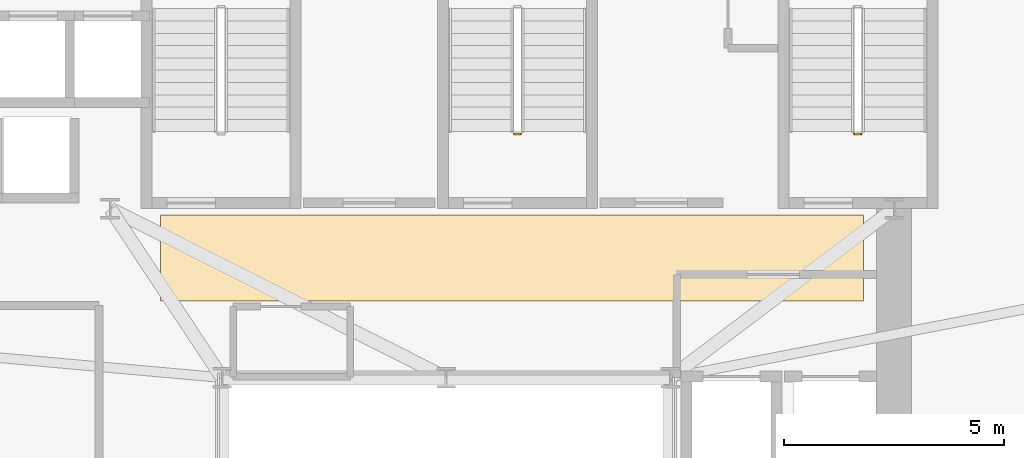
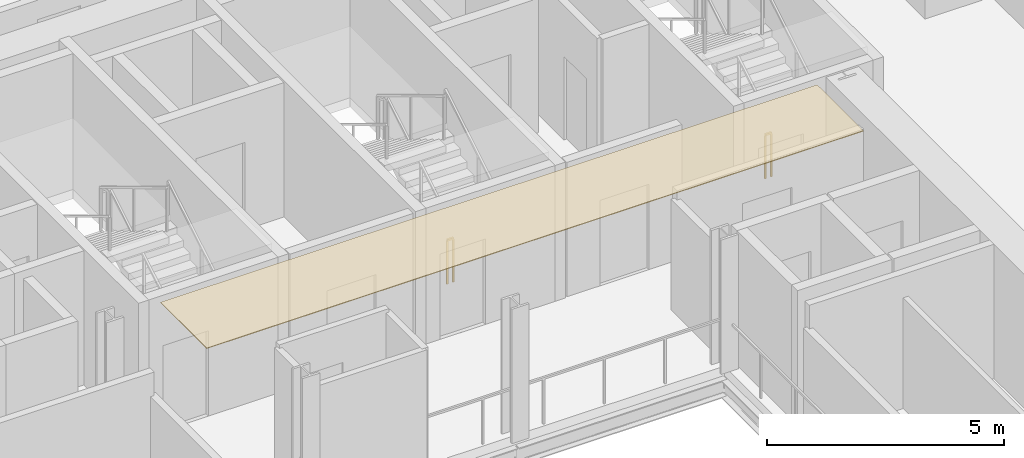
# One storey, part 12 of 14: 2 railings, 1 covering.
"""IFC4 building model written with IfcOpenShell, lengths in metres."""

from ifc_helpers import new_model, si_unit, direction, frame, origin, origin_2d, place, context, subcontext, project, spatial, polyline, rectangle, outline, extrude, source, transform, mapped, material, layer, layer_set, type_object, element, save


model = new_model("IFC4")

# Units and contexts
model_context = context("Model", 3, precision=1e-05, world=origin(), true_north=direction((0.0, 1.0)))
body_context = subcontext(model_context, "Body", "Model", "MODEL_VIEW")
ifc_project = project(units=[si_unit("LENGTHUNIT", "METRE"), si_unit("AREAUNIT", "SQUARE_METRE"), si_unit("VOLUMEUNIT", "CUBIC_METRE"), si_unit("PLANEANGLEUNIT", "RADIAN"), si_unit("MASSUNIT", "GRAM", prefix="KILO")], contexts=[model_context])

# Site, building, storey
site_placement = place(None, origin())
site = spatial("IfcSite", under=ifc_project, at=site_placement, CompositionType="ELEMENT")
building_placement = place(site_placement, origin())
building = spatial("IfcBuilding", under=site, at=building_placement, Name="Vardaveli Station Tower", CompositionType="ELEMENT")
storey_placement = place(building_placement, frame((0.0, 0.0, 111.300048828125)))
storey = spatial("IfcBuildingStorey", under=building, at=storey_placement, Name="L28", CompositionType="ELEMENT", Elevation=111.300048828125)

# Covering
ifc_material_1 = material(Name="Perforated acoustic mineral ceiling")
ifc_layer = layer(ifc_material_1, 0.02001953125, Name="Perforated acoustic mineral ceiling")
ifc_layer_set = layer_set([ifc_layer], Name="Perforated acoustic mineral ceiling")
covering_type = type_object("IfcCoveringType", Name="COV-CEIL-AC20", PredefinedType="CEILING", material=ifc_layer_set)
covering_placement = place(storey_placement, frame((0.0, 0.0, 3.445068359375)))
element("IfcCovering", 1, at=covering_placement, inside=storey, type_object=covering_type, Name="CEIL-L28-7", PredefinedType="CEILING", context=body_context, shape_type="SweptSolid", body=[
    extrude(outline(polyline([(29.800048828125, 28.550048828125), (45.800048828125, 28.550048828125), (45.800048828125, 30.5), (29.800048828125, 30.5), (29.800048828125, 28.550048828125)])), origin(), (0.0, 0.0, 1.0), 0.019775390625),
])

# Railings
ifc_material_2 = material(Name="Brushed AISI 316 stainless steel", Category="steel")
railing_type = type_object("IfcRailingType", Name="RL-GUARD-1150", PredefinedType="GUARDRAIL", material=ifc_material_2)
shared_shape = source(origin(), body_context, "Body", "SweptSolid", [
    extrude(rectangle(XDim=0.048095703125, YDim=0.048095703125, at=origin_2d()), frame((0.0, 0.0, 1.1259765625), z_axis=(-1.0, 0.0, 0.0), x_axis=(0.0, -1.0, 0.0)), (0.0, 0.0, 1.0), 0.14990234375),
    extrude(rectangle(XDim=0.0419921875, YDim=0.0419921875, at=origin_2d()), origin(), (0.0, 0.0, 1.0), 1.101806640625),
    extrude(rectangle(XDim=0.0419921875, YDim=0.0419921875, at=origin_2d()), frame((-0.14990234375, 0.0, 0.0)), (0.0, 0.0, 1.0), 1.101806640625),
])
for number, where, name in (
    (2, (38.0, 32.35009765625, 0.0), "L28 ST-2 stair guard 4"),
    (3, (45.75, 32.35009765625, 0.0), "L28 ST-3 stair guard 4"),
):
    element("IfcRailing", number, at=place(storey_placement, frame(where)), inside=storey, type_object=railing_type, Name=name, PredefinedType="GUARDRAIL", context=body_context, shape_type="MappedRepresentation", body=[
        mapped(shared_shape, transform((0.0, 0.0, 0.0), scale=1.0)),
    ])

save(model, "model.ifc")
